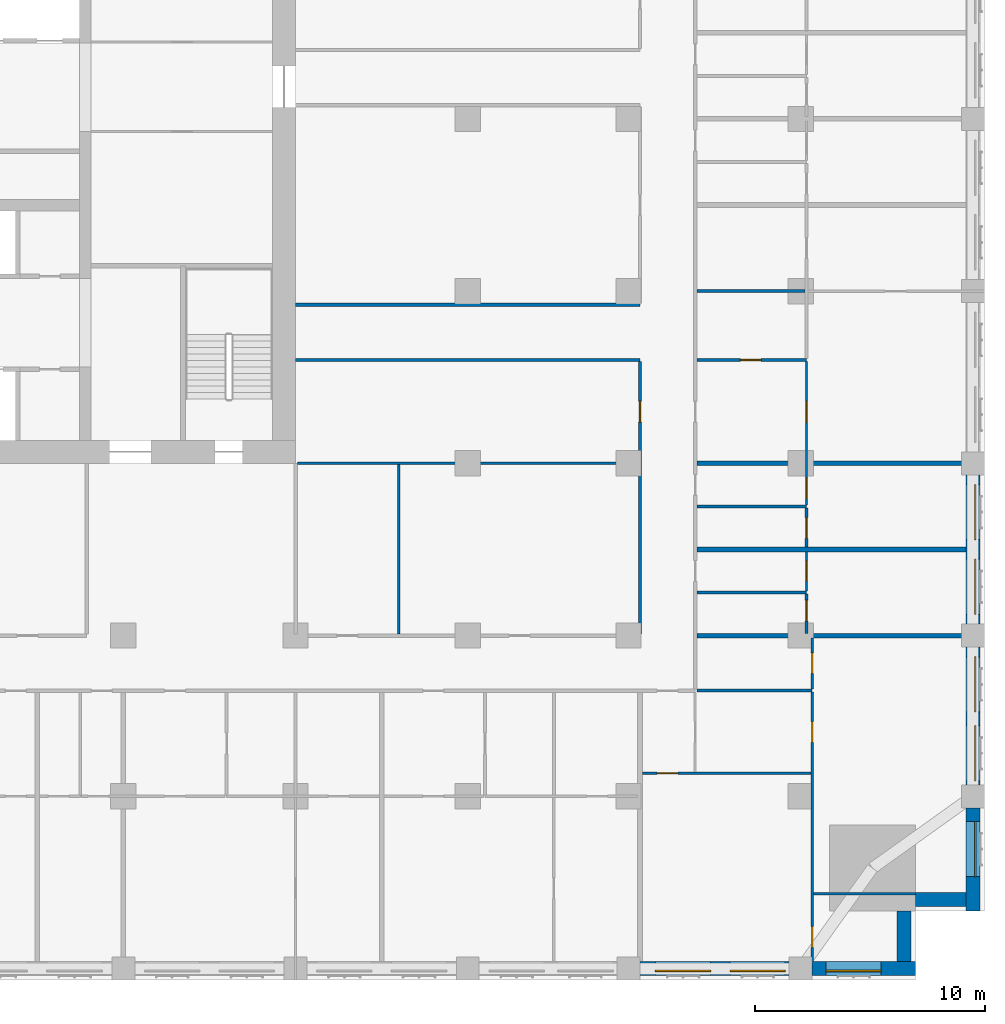
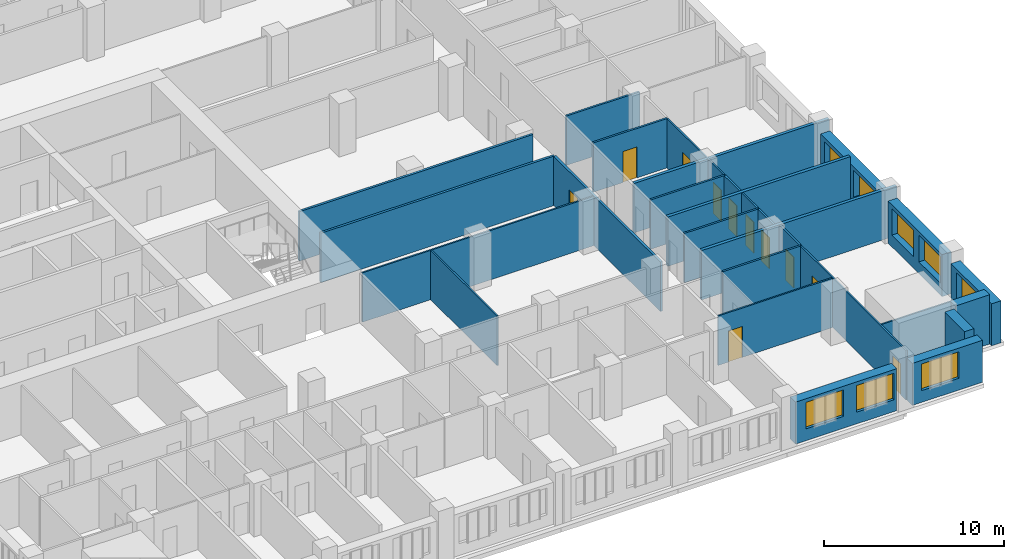
# One storey, part 7 of 15: 28 walls, 11 doors, 8 windows, 19 openings.
"""IFC4 building model written with IfcOpenShell, lengths in metres."""

import ifcopenshell
import ifcopenshell.guid

model = None  # the IFC model being written
_history = None  # IfcOwnerHistory: only IFC2X3 demands one
_inside = {}  # id of a spatial element -> (the spatial element, [elements in it])
_under = {}  # id of a project, library or spatial element -> (it, [spatial elements below it])
_declared = {}  # id of a project -> (the project, [libraries it declares])
_typed = {}  # id of a type object -> (the type object, [elements of that type])
_made_of = {}  # id of a material, layer set ... -> (it, [elements and type objects made of it])


def new_model(schema):
    """Start an empty IFC model of exactly this schema.

    Asked for "IFC4X3", IfcOpenShell would pick the latest addendum, in which some entities
    have other attributes; the version numbers below select the first issue.
    IFC2X3 requires an IfcOwnerHistory on every rooted entity: one is made here for all.
    """
    global model, _history
    if schema == "IFC4X3":
        model = ifcopenshell.file(schema_version=(4, 3, 0, 0))
    else:
        model = ifcopenshell.file(schema=schema)
    _inside.clear()
    _under.clear()
    _declared.clear()
    _typed.clear()
    _made_of.clear()
    _history = None
    if model.schema == "IFC2X3":
        org = make("IfcOrganization", Name="unknown")
        user = make(
            "IfcPersonAndOrganization",
            ThePerson=make("IfcPerson", FamilyName="unknown"),
            TheOrganization=org,
        )
        app = make(
            "IfcApplication",
            ApplicationDeveloper=org,
            Version="unknown",
            ApplicationFullName="unknown",
            ApplicationIdentifier="unknown",
        )
        _history = make(
            "IfcOwnerHistory",
            OwningUser=user,
            OwningApplication=app,
            ChangeAction="ADDED",
            CreationDate=0,
        )
    return model


def make(cls, **values):
    """One entity of the class cls with the attributes given. An attribute that is None is left unset."""
    return model.create_entity(
        cls, **{name: value for name, value in values.items() if value is not None}
    )


def rooted(cls, **values):
    """An entity with a GlobalId (a new one), such as an element, a storey or a relation."""
    return make(cls, GlobalId=ifcopenshell.guid.new(), OwnerHistory=_history, **values)


def si_unit(unit_type, name, prefix=None):
    """IfcSIUnit, for example si_unit("LENGTHUNIT", "METRE", prefix="MILLI")."""
    return make("IfcSIUnit", UnitType=unit_type, Prefix=prefix, Name=name)


def assignment(units):
    """IfcUnitAssignment: the units of a project."""
    return None if units is None else make("IfcUnitAssignment", Units=units)


def point(xyz):
    """IfcCartesianPoint."""
    return None if xyz is None else make("IfcCartesianPoint", Coordinates=xyz)


def direction(xyz):
    """IfcDirection."""
    return None if xyz is None else make("IfcDirection", DirectionRatios=xyz)


def frame(location, z_axis=None, x_axis=None):
    """IfcAxis2Placement3D, a coordinate frame: its origin and axes. An axis left out is left unset."""
    return make(
        "IfcAxis2Placement3D",
        Location=point(location),
        Axis=direction(z_axis),
        RefDirection=direction(x_axis),
    )


def frame_2d(location, x_axis=None):
    """IfcAxis2Placement2D, a coordinate frame in the plane: its origin and x axis."""
    return make(
        "IfcAxis2Placement2D", Location=point(location), RefDirection=direction(x_axis)
    )


def origin():
    """The frame at (0, 0, 0) with its axes left unset."""
    return frame((0.0, 0.0, 0.0))


def place(relative_to, where):
    """IfcLocalPlacement: puts the frame where relative to a parent placement (None: the world)."""
    return make(
        "IfcLocalPlacement", PlacementRelTo=relative_to, RelativePlacement=where
    )


def context(
    kind, dimensions, precision=None, world=None, true_north=None, identifier=None
):
    """IfcGeometricRepresentationContext, for example the 3D "Model" context."""
    return make(
        "IfcGeometricRepresentationContext",
        ContextIdentifier=identifier,
        ContextType=kind,
        CoordinateSpaceDimension=dimensions,
        Precision=precision,
        WorldCoordinateSystem=world,
        TrueNorth=true_north,
    )


def subcontext(parent, identifier, kind, view, scale=None):
    """IfcGeometricRepresentationSubContext, for example "Body" below "Model"."""
    return make(
        "IfcGeometricRepresentationSubContext",
        ContextIdentifier=identifier,
        ContextType=kind,
        ParentContext=parent,
        TargetScale=scale,
        TargetView=view,
    )


def project(units=None, contexts=None):
    """IfcProject with its units and contexts."""
    return rooted(
        "IfcProject",
        Name="project",
        RepresentationContexts=contexts,
        UnitsInContext=assignment(units),
    )


def spatial(cls, under=None, at=None, **own):
    """A site, building, storey or space (cls), placed at a placement, below another one or the project."""
    s = rooted(cls, ObjectPlacement=at, **own)
    if under is not None:
        _under.setdefault(under.id(), (under, []))[1].append(s)
    return s


def profile(cls, at=None, kind="AREA", **sizes):
    """A parametric profile (cls). Its sizes go by their IFC names, for example OverallWidth=200.0."""
    return make(cls, ProfileType=kind, Position=at, **sizes)


def rectangle(**sizes):
    """IfcRectangleProfileDef."""
    return profile("IfcRectangleProfileDef", **sizes)


def extrude(swept, where, along, depth):
    """IfcExtrudedAreaSolid: the profile swept, set in the frame where, extruded along a direction by depth."""
    return make(
        "IfcExtrudedAreaSolid",
        SweptArea=swept,
        Position=where,
        ExtrudedDirection=direction(along),
        Depth=depth,
    )


def shape(context_of_items, identifier, shape_type, items):
    """IfcShapeRepresentation: the items that make up one representation, for example the "Body"."""
    return make(
        "IfcShapeRepresentation",
        ContextOfItems=context_of_items,
        RepresentationIdentifier=identifier,
        RepresentationType=shape_type,
        Items=items,
    )


def material(Name=None, Category=None):
    """IfcMaterial."""
    return make("IfcMaterial", Name=Name, Category=Category)


def layer(
    of_material, thickness, ventilated=None, Name=None, Category=None, Priority=None
):
    """IfcMaterialLayer: one layer of a wall or slab, of a material (None: an air gap)."""
    return make(
        "IfcMaterialLayer",
        Material=of_material,
        LayerThickness=thickness,
        IsVentilated=ventilated,
        Name=Name,
        Category=Category,
        Priority=Priority,
    )


def layer_set(layers, Name=None):
    """IfcMaterialLayerSet."""
    return make("IfcMaterialLayerSet", MaterialLayers=layers, LayerSetName=Name)


def made_of(thing, what):
    """Note that an element or type object is made of a material, layer set ...; save() writes the relation."""
    if what is not None:
        _made_of.setdefault(what.id(), (what, []))[1].append(thing)
    return thing


def type_object(cls, material=None, **own):
    """A type object (cls), such as IfcWallType, which elements share."""
    return made_of(rooted(cls, **own), material)


def element(
    cls,
    number,
    at=None,
    inside=None,
    cuts=None,
    type_object=None,
    material=None,
    context=None,
    identifier="Body",
    shape_type=None,
    held_by="IfcProductDefinitionShape",
    body=None,
    shapes=None,
    **own,
):
    """One element of the class cls, such as IfcWall. Its Tag is "e" and its number.

    at: its placement. inside: the storey or other place that contains it. cuts: it is an
    opening in that element (IfcRelVoidsElement). A single representation is given by context,
    identifier, shape_type and body (its items); several are given by shapes. held_by: the class
    of the entity that holds the representations. save() writes the other relations.
    """
    e = rooted(cls, Tag="e%d" % number, ObjectPlacement=at, **own)
    if body is not None:
        shapes = [shape(context, identifier, shape_type, body)]
    if shapes is not None:
        e.Representation = make(held_by, Representations=shapes)
    if inside is not None:
        _inside.setdefault(inside.id(), (inside, []))[1].append(e)
    if cuts is not None:
        rooted(
            "IfcRelVoidsElement", RelatingBuildingElement=cuts, RelatedOpeningElement=e
        )
    if type_object is not None:
        _typed.setdefault(type_object.id(), (type_object, []))[1].append(e)
    return made_of(e, material)


def fill(opening, filler):
    """IfcRelFillsElement: the door or window that sits in an opening."""
    return rooted(
        "IfcRelFillsElement",
        RelatingOpeningElement=opening,
        RelatedBuildingElement=filler,
    )


def aggregate(whole, parts):
    """IfcRelAggregates: a whole, such as a stair, and the parts it consists of."""
    return rooted("IfcRelAggregates", RelatingObject=whole, RelatedObjects=parts)


def save(model, path):
    """Write the relations noted so far, then the file.

    IfcRelAggregates (storeys below a building ...), IfcRelContainedInSpatialStructure (elements
    in a storey), IfcRelDefinesByType, IfcRelAssociatesMaterial and IfcRelDeclares: one each for
    every whole, place, type object, material and project.
    """
    for whole, parts in _under.values():
        aggregate(whole, parts)
    for where, things in _inside.values():
        rooted(
            "IfcRelContainedInSpatialStructure",
            RelatedElements=things,
            RelatingStructure=where,
        )
    for kind, things in _typed.values():
        rooted("IfcRelDefinesByType", RelatedObjects=things, RelatingType=kind)
    for what, things in _made_of.values():
        rooted("IfcRelAssociatesMaterial", RelatedObjects=things, RelatingMaterial=what)
    for by, libraries in _declared.values():
        rooted("IfcRelDeclares", RelatingContext=by, RelatedDefinitions=libraries)
    model.write(path)


model = new_model("IFC4")

# Units and contexts
model_context = context("Model", 3, precision=1e-05, world=origin(), true_north=direction((0.0, 1.0)))
body_context = subcontext(model_context, "Body", "Model", "MODEL_VIEW")
ifc_project = project(units=[si_unit("LENGTHUNIT", "METRE"), si_unit("AREAUNIT", "SQUARE_METRE"), si_unit("VOLUMEUNIT", "CUBIC_METRE"), si_unit("PLANEANGLEUNIT", "RADIAN"), si_unit("MASSUNIT", "GRAM", prefix="KILO")], contexts=[model_context])

# Site, building, storey
site_placement = place(None, origin())
site = spatial("IfcSite", under=ifc_project, at=site_placement, CompositionType="ELEMENT")
building_placement = place(site_placement, origin())
building = spatial("IfcBuilding", under=site, at=building_placement, Name="Tamorin Gate", CompositionType="ELEMENT")
storey_placement = place(building_placement, frame((0.0, 0.0, 97.10009765625)))
storey = spatial("IfcBuildingStorey", under=building, at=storey_placement, Name="L23", CompositionType="ELEMENT", Elevation=97.10009765625)

# Wall, openings, windows
ifc_material_1 = material(Name="Precast concrete C40/50", Category="concrete")
ifc_layer_1 = layer(ifc_material_1, 0.60009765625)
ifc_layer_set_1 = layer_set([ifc_layer_1], Name="Precast concrete C40/50")
wall_type_1 = type_object("IfcWallType", Name="Board-marked concrete facade panel 600", PredefinedType="SOLIDWALL", material=ifc_layer_set_1)
wall_1_placement = place(storey_placement, frame((75.0, 38.0, 0.0), z_axis=(0.0, 0.0, 1.0), x_axis=(1.0, 0.0, 0.0)))
wall_1 = element("IfcWall", 1, at=wall_1_placement, inside=storey, type_object=wall_type_1, Name="Facade panel", PredefinedType="SOLIDWALL", context=body_context, shape_type="SweptSolid", body=[
    extrude(rectangle(XDim=6.5, YDim=0.60009765625, at=frame_2d((3.25, 0.0))), origin(), (0.0, 0.0, 1.0), 2.849853515625),
])
opening_1_placement = place(wall_1_placement, frame((0.675048828125, 0.0, 0.800048828125)))
opening_1 = element("IfcOpeningElement", 2, at=opening_1_placement, cuts=wall_1, Name="Opening WN1", PredefinedType="OPENING", context=body_context, shape_type="SweptSolid", body=[
    extrude(rectangle(XDim=2.39990234375, YDim=1.800048828125, at=frame_2d((1.199951171875, 0.89990234375))), frame((0.0, 0.31005859375, 0.0), z_axis=(0.0, -1.0, 0.0), x_axis=(1.0, 0.0, 0.0)), (0.0, 0.0, 1.0), 0.6201171875),
])
opening_2_placement = place(wall_1_placement, frame((3.925048828125, 0.0, 0.800048828125)))
opening_2 = element("IfcOpeningElement", 3, at=opening_2_placement, cuts=wall_1, Name="Opening WN1", PredefinedType="OPENING", context=body_context, shape_type="SweptSolid", body=[
    extrude(rectangle(XDim=2.39990234375, YDim=1.800048828125, at=frame_2d((1.199951171875, 0.89990234375))), frame((0.0, 0.31005859375, 0.0), z_axis=(0.0, -1.0, 0.0), x_axis=(1.0, 0.0, 0.0)), (0.0, 0.0, 1.0), 0.6201171875),
])
ifc_material_2 = material(Name="Clear glass in aluminium frame", Category="aluminium")
window_type = type_object("IfcWindowType", Name="Deep-set window 2400x1800", PartitioningType="SINGLE_PANEL", PredefinedType="WINDOW", material=ifc_material_2)
window_1_placement = place(opening_1_placement, origin())
window_1 = element("IfcWindow", 4, at=window_1_placement, inside=storey, type_object=window_type, Name="Deep-set window", OverallHeight=1.800048828125, OverallWidth=2.39990234375, PartitioningType="SINGLE_PANEL", PredefinedType="WINDOW", context=body_context, shape_type="SweptSolid", body=[
    extrude(rectangle(XDim=2.39990234375, YDim=1.800048828125, at=frame_2d((1.199951171875, 0.89990234375))), frame((0.0, -0.070068359375, 0.0), z_axis=(0.0, -1.0, 0.0), x_axis=(1.0, 0.0, 0.0)), (0.0, 0.0, 1.0), 0.06005859375),
])
fill(opening_1, window_1)
window_2_placement = place(opening_2_placement, origin())
window_2 = element("IfcWindow", 5, at=window_2_placement, inside=storey, type_object=window_type, Name="Deep-set window", OverallHeight=1.800048828125, OverallWidth=2.39990234375, PartitioningType="SINGLE_PANEL", PredefinedType="WINDOW", context=body_context, shape_type="SweptSolid", body=[
    extrude(rectangle(XDim=2.39990234375, YDim=1.800048828125, at=frame_2d((1.199951171875, 0.89990234375))), frame((0.0, -0.070068359375, 0.0), z_axis=(0.0, -1.0, 0.0), x_axis=(1.0, 0.0, 0.0)), (0.0, 0.0, 1.0), 0.06005859375),
])
fill(opening_2, window_2)

# Wall, opening, window
wall_2_placement = place(storey_placement, frame((82.5, 38.0, 0.0), z_axis=(0.0, 0.0, 1.0), x_axis=(1.0, 0.0, 0.0)))
wall_2 = element("IfcWall", 6, at=wall_2_placement, inside=storey, type_object=wall_type_1, Name="Facade panel", PredefinedType="SOLIDWALL", context=body_context, shape_type="SweptSolid", body=[
    extrude(rectangle(XDim=4.5, YDim=0.60009765625, at=frame_2d((2.25, 0.0))), origin(), (0.0, 0.0, 1.0), 2.849853515625),
])
opening_3_placement = place(wall_2_placement, frame((0.60009765625, 0.0, 0.800048828125)))
opening_3 = element("IfcOpeningElement", 7, at=opening_3_placement, cuts=wall_2, Name="Opening WN1", PredefinedType="OPENING", context=body_context, shape_type="SweptSolid", body=[
    extrude(rectangle(XDim=2.39990234375, YDim=1.800048828125, at=frame_2d((1.199951171875, 0.89990234375))), frame((0.0, 0.31005859375, 0.0), z_axis=(0.0, -1.0, 0.0), x_axis=(1.0, 0.0, 0.0)), (0.0, 0.0, 1.0), 0.6201171875),
])
window_3_placement = place(opening_3_placement, origin())
window_3 = element("IfcWindow", 8, at=window_3_placement, inside=storey, type_object=window_type, Name="Deep-set window", OverallHeight=1.800048828125, OverallWidth=2.39990234375, PartitioningType="SINGLE_PANEL", PredefinedType="WINDOW", context=body_context, shape_type="SweptSolid", body=[
    extrude(rectangle(XDim=2.39990234375, YDim=1.800048828125, at=frame_2d((1.199951171875, 0.89990234375))), frame((0.0, -0.070068359375, 0.0), z_axis=(0.0, -1.0, 0.0), x_axis=(1.0, 0.0, 0.0)), (0.0, 0.0, 1.0), 0.06005859375),
])
fill(opening_3, window_3)

# Walls
for number, where, z_axis, x_axis, name in (
    (9, (86.5, 38.300048828125, 0.0), (0.0, 0.0, 1.0), (0.0, 1.0, 0.0), "Facade panel"),
    (10, (87.0, 41.0, 0.0), (0.0, 0.0, 1.0), (1.0, 0.0, 0.0), "Facade panel"),
):
    element("IfcWall", number, at=place(storey_placement, frame(where, z_axis=z_axis, x_axis=x_axis)), inside=storey, type_object=wall_type_1, Name=name, PredefinedType="SOLIDWALL", context=body_context, shape_type="SweptSolid", body=[
        extrude(rectangle(XDim=2.199951171875, YDim=0.60009765625, at=frame_2d((1.10009765625, 0.0))), origin(), (0.0, 0.0, 1.0), 3.349853515625),
    ])

# Wall, opening, window
wall_3_placement = place(storey_placement, frame((89.5, 40.5, 0.0), z_axis=(0.0, 0.0, 1.0), x_axis=(0.0, 1.0, 0.0)))
wall_3 = element("IfcWall", 11, at=wall_3_placement, inside=storey, type_object=wall_type_1, Name="Facade panel", PredefinedType="SOLIDWALL", context=body_context, shape_type="SweptSolid", body=[
    extrude(rectangle(XDim=4.5, YDim=0.60009765625, at=frame_2d((2.25, 0.0))), origin(), (0.0, 0.0, 1.0), 2.849853515625),
])
opening_4_placement = place(wall_3_placement, frame((1.5, 0.0, 0.800048828125)))
opening_4 = element("IfcOpeningElement", 12, at=opening_4_placement, cuts=wall_3, Name="Opening WN1", PredefinedType="OPENING", context=body_context, shape_type="SweptSolid", body=[
    extrude(rectangle(XDim=2.39990234375, YDim=1.800048828125, at=frame_2d((1.199951171875, 0.89990234375))), frame((0.0, 0.31005859375, 0.0), z_axis=(0.0, -1.0, 0.0), x_axis=(1.0, 0.0, 0.0)), (0.0, 0.0, 1.0), 0.6201171875),
])
window_4_placement = place(opening_4_placement, origin())
window_4 = element("IfcWindow", 13, at=window_4_placement, inside=storey, type_object=window_type, Name="Deep-set window", OverallHeight=1.800048828125, OverallWidth=2.39990234375, PartitioningType="SINGLE_PANEL", PredefinedType="WINDOW", context=body_context, shape_type="SweptSolid", body=[
    extrude(rectangle(XDim=2.39990234375, YDim=1.800048828125, at=frame_2d((1.199951171875, 0.89990234375))), frame((0.0, -0.070068359375, 0.0), z_axis=(0.0, -1.0, 0.0), x_axis=(1.0, 0.0, 0.0)), (0.0, 0.0, 1.0), 0.06005859375),
])
fill(opening_4, window_4)

# Wall, openings, windows
wall_4_placement = place(storey_placement, frame((89.5, 46.0, 0.0), z_axis=(0.0, 0.0, 1.0), x_axis=(0.0, 1.0, 0.0)))
wall_4 = element("IfcWall", 14, at=wall_4_placement, inside=storey, type_object=wall_type_1, Name="Facade panel", PredefinedType="SOLIDWALL", context=body_context, shape_type="SweptSolid", body=[
    extrude(rectangle(XDim=6.0, YDim=0.60009765625, at=frame_2d((3.0, 0.0))), origin(), (0.0, 0.0, 1.0), 2.849853515625),
])
opening_5_placement = place(wall_4_placement, frame((0.175048828125, 0.0, 0.800048828125)))
opening_5 = element("IfcOpeningElement", 15, at=opening_5_placement, cuts=wall_4, Name="Opening WN1", PredefinedType="OPENING", context=body_context, shape_type="SweptSolid", body=[
    extrude(rectangle(XDim=2.39990234375, YDim=1.800048828125, at=frame_2d((1.199951171875, 0.89990234375))), frame((0.0, 0.31005859375, 0.0), z_axis=(0.0, -1.0, 0.0), x_axis=(1.0, 0.0, 0.0)), (0.0, 0.0, 1.0), 0.6201171875),
])
opening_6_placement = place(wall_4_placement, frame((3.175048828125, 0.0, 0.800048828125)))
opening_6 = element("IfcOpeningElement", 16, at=opening_6_placement, cuts=wall_4, Name="Opening WN1", PredefinedType="OPENING", context=body_context, shape_type="SweptSolid", body=[
    extrude(rectangle(XDim=2.39990234375, YDim=1.800048828125, at=frame_2d((1.199951171875, 0.89990234375))), frame((0.0, 0.31005859375, 0.0), z_axis=(0.0, -1.0, 0.0), x_axis=(1.0, 0.0, 0.0)), (0.0, 0.0, 1.0), 0.6201171875),
])
window_5_placement = place(opening_5_placement, origin())
window_5 = element("IfcWindow", 17, at=window_5_placement, inside=storey, type_object=window_type, Name="Deep-set window", OverallHeight=1.800048828125, OverallWidth=2.39990234375, PartitioningType="SINGLE_PANEL", PredefinedType="WINDOW", context=body_context, shape_type="SweptSolid", body=[
    extrude(rectangle(XDim=2.39990234375, YDim=1.800048828125, at=frame_2d((1.199951171875, 0.89990234375))), frame((0.0, -0.070068359375, 0.0), z_axis=(0.0, -1.0, 0.0), x_axis=(1.0, 0.0, 0.0)), (0.0, 0.0, 1.0), 0.06005859375),
])
fill(opening_5, window_5)
window_6_placement = place(opening_6_placement, origin())
window_6 = element("IfcWindow", 18, at=window_6_placement, inside=storey, type_object=window_type, Name="Deep-set window", OverallHeight=1.800048828125, OverallWidth=2.39990234375, PartitioningType="SINGLE_PANEL", PredefinedType="WINDOW", context=body_context, shape_type="SweptSolid", body=[
    extrude(rectangle(XDim=2.39990234375, YDim=1.800048828125, at=frame_2d((1.199951171875, 0.89990234375))), frame((0.0, -0.070068359375, 0.0), z_axis=(0.0, -1.0, 0.0), x_axis=(1.0, 0.0, 0.0)), (0.0, 0.0, 1.0), 0.06005859375),
])
fill(opening_6, window_6)

wall_5_placement = place(storey_placement, frame((89.5, 53.0, 0.0), z_axis=(0.0, 0.0, 1.0), x_axis=(0.0, 1.0, 0.0)))
wall_5 = element("IfcWall", 19, at=wall_5_placement, inside=storey, type_object=wall_type_1, Name="Facade panel", PredefinedType="SOLIDWALL", context=body_context, shape_type="SweptSolid", body=[
    extrude(rectangle(XDim=6.5, YDim=0.60009765625, at=frame_2d((3.25, 0.0))), origin(), (0.0, 0.0, 1.0), 2.849853515625),
])
opening_7_placement = place(wall_5_placement, frame((0.425048828125, 0.0, 0.800048828125)))
opening_7 = element("IfcOpeningElement", 20, at=opening_7_placement, cuts=wall_5, Name="Opening WN1", PredefinedType="OPENING", context=body_context, shape_type="SweptSolid", body=[
    extrude(rectangle(XDim=2.39990234375, YDim=1.800048828125, at=frame_2d((1.199951171875, 0.89990234375))), frame((0.0, 0.31005859375, 0.0), z_axis=(0.0, -1.0, 0.0), x_axis=(1.0, 0.0, 0.0)), (0.0, 0.0, 1.0), 0.6201171875),
])
opening_8_placement = place(wall_5_placement, frame((3.675048828125, 0.0, 0.800048828125)))
opening_8 = element("IfcOpeningElement", 21, at=opening_8_placement, cuts=wall_5, Name="Opening WN1", PredefinedType="OPENING", context=body_context, shape_type="SweptSolid", body=[
    extrude(rectangle(XDim=2.39990234375, YDim=1.800048828125, at=frame_2d((1.199951171875, 0.89990234375))), frame((0.0, 0.31005859375, 0.0), z_axis=(0.0, -1.0, 0.0), x_axis=(1.0, 0.0, 0.0)), (0.0, 0.0, 1.0), 0.6201171875),
])
window_7_placement = place(opening_7_placement, origin())
window_7 = element("IfcWindow", 22, at=window_7_placement, inside=storey, type_object=window_type, Name="Deep-set window", OverallHeight=1.800048828125, OverallWidth=2.39990234375, PartitioningType="SINGLE_PANEL", PredefinedType="WINDOW", context=body_context, shape_type="SweptSolid", body=[
    extrude(rectangle(XDim=2.39990234375, YDim=1.800048828125, at=frame_2d((1.199951171875, 0.89990234375))), frame((0.0, -0.070068359375, 0.0), z_axis=(0.0, -1.0, 0.0), x_axis=(1.0, 0.0, 0.0)), (0.0, 0.0, 1.0), 0.06005859375),
])
fill(opening_7, window_7)
window_8_placement = place(opening_8_placement, origin())
window_8 = element("IfcWindow", 23, at=window_8_placement, inside=storey, type_object=window_type, Name="Deep-set window", OverallHeight=1.800048828125, OverallWidth=2.39990234375, PartitioningType="SINGLE_PANEL", PredefinedType="WINDOW", context=body_context, shape_type="SweptSolid", body=[
    extrude(rectangle(XDim=2.39990234375, YDim=1.800048828125, at=frame_2d((1.199951171875, 0.89990234375))), frame((0.0, -0.070068359375, 0.0), z_axis=(0.0, -1.0, 0.0), x_axis=(1.0, 0.0, 0.0)), (0.0, 0.0, 1.0), 0.06005859375),
])
fill(opening_8, window_8)

# Wall, opening, door
ifc_material_3 = material(Name="Gypsum board partition")
ifc_layer_2 = layer(ifc_material_3, 0.14990234375)
ifc_layer_set_2 = layer_set([ifc_layer_2], Name="Corridor wall 150")
wall_type_2 = type_object("IfcWallType", Name="Corridor wall 150", PredefinedType="PARTITIONING", material=ifc_layer_set_2)
wall_6_placement = place(storey_placement, frame((75.0, 52.574951171875, 0.0), z_axis=(0.0, 0.0, 1.0), x_axis=(0.0, 1.0, 0.0)))
wall_6 = element("IfcWall", 24, at=wall_6_placement, inside=storey, type_object=wall_type_2, Name="Corridor wall 150", PredefinedType="PARTITIONING", context=body_context, shape_type="SweptSolid", body=[
    extrude(rectangle(XDim=11.85009765625, YDim=0.14990234375, at=frame_2d((5.925048828125, 0.0))), origin(), (0.0, 0.0, 1.0), 3.349853515625),
])
opening_9_placement = place(wall_6_placement, frame((9.22509765625, 0.0, 0.0)))
opening_9 = element("IfcOpeningElement", 25, at=opening_9_placement, cuts=wall_6, Name="Opening DH6095", PredefinedType="OPENING", context=body_context, shape_type="SweptSolid", body=[
    extrude(rectangle(XDim=0.89990234375, YDim=2.10009765625, at=frame_2d((0.449951171875, 1.050048828125))), frame((0.0, 0.0849609375, 0.0), z_axis=(0.0, -1.0, 0.0), x_axis=(1.0, 0.0, 0.0)), (0.0, 0.0, 1.0), 0.169921875),
])
ifc_material_4 = material(Name="Timber door leaf", Category="wood")
door_type_1 = type_object("IfcDoorType", Name="Door 900 x 2100 FD30S", OperationType="NOTDEFINED", PredefinedType="DOOR", material=ifc_material_4)
door_1_placement = place(opening_9_placement, origin())
door_1 = element("IfcDoor", 26, at=door_1_placement, inside=storey, type_object=door_type_1, Name="Door DH6095", OperationType="SINGLE_SWING_LEFT", OverallHeight=2.10009765625, OverallWidth=0.89990234375, PredefinedType="DOOR", context=body_context, shape_type="SweptSolid", body=[
    extrude(rectangle(XDim=0.89990234375, YDim=2.10009765625, at=frame_2d((0.449951171875, 1.050048828125))), frame((0.0, 0.02490234375, 0.0), z_axis=(0.0, -1.0, 0.0), x_axis=(1.0, 0.0, 0.0)), (0.0, 0.0, 1.0), 0.050048828125),
])
fill(opening_9, door_1)

# Walls
ifc_layer_3 = layer(ifc_material_3, 0.199951171875)
ifc_layer_set_3 = layer_set([ifc_layer_3], Name="Demising wall 200")
wall_type_3 = type_object("IfcWallType", Name="Demising wall 200", PredefinedType="PARTITIONING", material=ifc_layer_set_3)
wall_7_placement = place(storey_placement, frame((77.47509765625, 52.5, 0.0), z_axis=(0.0, 0.0, 1.0), x_axis=(1.0, 0.0, 0.0)))
element("IfcWall", 27, at=wall_7_placement, inside=storey, type_object=wall_type_3, Name="Demising wall 200", PredefinedType="PARTITIONING", context=body_context, shape_type="SweptSolid", body=[
    extrude(rectangle(XDim=12.52490234375, YDim=0.199951171875, at=frame_2d((6.262451171875, 0.0))), origin(), (0.0, 0.0, 1.0), 3.349853515625),
])
wall_8_placement = place(storey_placement, frame((77.47509765625, 56.25, 0.0), z_axis=(0.0, 0.0, 1.0), x_axis=(1.0, 0.0, 0.0)))
element("IfcWall", 28, at=wall_8_placement, inside=storey, type_object=wall_type_3, Name="Demising wall 200", PredefinedType="PARTITIONING", context=body_context, shape_type="SweptSolid", body=[
    extrude(rectangle(XDim=11.71484375, YDim=0.199951171875, at=frame_2d((5.857421875, 0.0))), origin(), (0.0, 0.0, 1.0), 3.349853515625),
])
wall_9_placement = place(storey_placement, frame((77.47509765625, 60.0, 0.0), z_axis=(0.0, 0.0, 1.0), x_axis=(1.0, 0.0, 0.0)))
element("IfcWall", 29, at=wall_9_placement, inside=storey, type_object=wall_type_3, Name="Demising wall 200", PredefinedType="PARTITIONING", context=body_context, shape_type="SweptSolid", body=[
    extrude(rectangle(XDim=12.52490234375, YDim=0.199951171875, at=frame_2d((6.262451171875, 0.0))), origin(), (0.0, 0.0, 1.0), 3.349853515625),
])
ifc_layer_4 = layer(ifc_material_3, 0.14990234375)
ifc_layer_set_4 = layer_set([ifc_layer_4], Name="Lobby wall 150")
wall_type_4 = type_object("IfcWallType", Name="Lobby wall 150", PredefinedType="PARTITIONING", material=ifc_layer_set_4)
for number, where, z_axis, x_axis, name in (
    (30, (60.0, 64.5, 0.0), (0.0, 0.0, 1.0), (1.0, 0.0, 0.0), "Lobby wall 150"),
    (31, (60.0, 66.89990234375, 0.0), (0.0, 0.0, 1.0), (1.0, 0.0, 0.0), "Lobby wall 150"),
):
    element("IfcWall", number, at=place(storey_placement, frame(where, z_axis=z_axis, x_axis=x_axis)), inside=storey, type_object=wall_type_4, Name=name, PredefinedType="PARTITIONING", context=body_context, shape_type="SweptSolid", body=[
        extrude(rectangle(XDim=15.0, YDim=0.14990234375, at=frame_2d((7.5, 0.0))), origin(), (0.0, 0.0, 1.0), 3.349853515625),
    ])
ifc_layer_5 = layer(ifc_material_3, 0.10009765625)
ifc_layer_set_5 = layer_set([ifc_layer_5], Name="Room partition 100")
wall_type_5 = type_object("IfcWallType", Name="Room partition 100", PredefinedType="PARTITIONING", material=ifc_layer_set_5)
wall_10_placement = place(storey_placement, frame((82.550048828125, 41.25, 0.0), z_axis=(0.0, 0.0, 1.0), x_axis=(1.0, 0.0, 0.0)))
element("IfcWall", 32, at=wall_10_placement, inside=storey, type_object=wall_type_5, Name="Room partition 100", PredefinedType="PARTITIONING", context=body_context, shape_type="SweptSolid", body=[
    extrude(rectangle(XDim=4.43994140625, YDim=0.10009765625, at=frame_2d((2.219970703125, 0.0))), origin(), (0.0, 0.0, 1.0), 3.349853515625),
])

# Wall, opening, door
wall_11_placement = place(storey_placement, frame((75.10009765625, 46.5, 0.0), z_axis=(0.0, 0.0, 1.0), x_axis=(1.0, 0.0, 0.0)))
wall_11 = element("IfcWall", 33, at=wall_11_placement, inside=storey, type_object=wall_type_5, Name="Room partition 100", PredefinedType="PARTITIONING", context=body_context, shape_type="SweptSolid", body=[
    extrude(rectangle(XDim=7.349853515625, YDim=0.10009765625, at=frame_2d((3.6748046875, 0.0))), origin(), (0.0, 0.0, 1.0), 3.349853515625),
])
opening_10_placement = place(wall_11_placement, frame((0.64990234375, 0.0, 0.0)))
opening_10 = element("IfcOpeningElement", 34, at=opening_10_placement, cuts=wall_11, Name="Opening DH6075", PredefinedType="OPENING", context=body_context, shape_type="SweptSolid", body=[
    extrude(rectangle(XDim=0.89990234375, YDim=2.10009765625, at=frame_2d((0.449951171875, 1.050048828125))), frame((0.0, 0.06005859375, 0.0), z_axis=(0.0, -1.0, 0.0), x_axis=(1.0, 0.0, 0.0)), (0.0, 0.0, 1.0), 0.1201171875),
])
door_type_2 = type_object("IfcDoorType", Name="Door 900 x 2100", OperationType="NOTDEFINED", PredefinedType="DOOR", material=ifc_material_4)
door_2_placement = place(opening_10_placement, origin())
door_2 = element("IfcDoor", 35, at=door_2_placement, inside=storey, type_object=door_type_2, Name="Door DH6075", OperationType="SINGLE_SWING_RIGHT", OverallHeight=2.10009765625, OverallWidth=0.89990234375, PredefinedType="DOOR", context=body_context, shape_type="SweptSolid", body=[
    extrude(rectangle(XDim=0.89990234375, YDim=2.10009765625, at=frame_2d((0.449951171875, 1.050048828125))), frame((0.0, 0.02490234375, 0.0), z_axis=(0.0, -1.0, 0.0), x_axis=(1.0, 0.0, 0.0)), (0.0, 0.0, 1.0), 0.050048828125),
])
fill(opening_10, door_2)

# Walls
wall_12_placement = place(storey_placement, frame((60.074951171875, 60.0, 0.0), z_axis=(0.0, 0.0, 1.0), x_axis=(1.0, 0.0, 0.0)))
element("IfcWall", 36, at=wall_12_placement, inside=storey, type_object=wall_type_5, Name="Room partition 100", PredefinedType="PARTITIONING", context=body_context, shape_type="SweptSolid", body=[
    extrude(rectangle(XDim=14.85009765625, YDim=0.10009765625, at=frame_2d((7.425048828125, 0.0))), origin(), (0.0, 0.0, 1.0), 3.349853515625),
])
wall_13_placement = place(storey_placement, frame((64.5, 52.574951171875, 0.0), z_axis=(0.0, 0.0, 1.0), x_axis=(0.0, 1.0, 0.0)))
element("IfcWall", 37, at=wall_13_placement, inside=storey, type_object=wall_type_5, Name="Room partition 100", PredefinedType="PARTITIONING", context=body_context, shape_type="SweptSolid", body=[
    extrude(rectangle(XDim=7.375, YDim=0.10009765625, at=frame_2d((3.6875, 0.0))), origin(), (0.0, 0.0, 1.0), 3.349853515625),
])

# Wall, opening, door
wall_14_placement = place(storey_placement, frame((82.25, 54.4375, 0.0), z_axis=(0.0, 0.0, 1.0), x_axis=(0.0, 1.0, 0.0)))
wall_14 = element("IfcWall", 38, at=wall_14_placement, inside=storey, type_object=wall_type_5, Name="Room partition 100", PredefinedType="PARTITIONING", context=body_context, shape_type="SweptSolid", body=[
    extrude(rectangle(XDim=1.71240234375, YDim=0.10009765625, at=frame_2d((0.856201171875, 0.0))), origin(), (0.0, 0.0, 1.0), 3.349853515625),
])
opening_11_placement = place(wall_14_placement, frame((0.425048828125, 0.0, 0.0)))
opening_11 = element("IfcOpeningElement", 39, at=opening_11_placement, cuts=wall_14, Name="Opening DH6053", PredefinedType="OPENING", context=body_context, shape_type="SweptSolid", body=[
    extrude(rectangle(XDim=0.89990234375, YDim=2.10009765625, at=frame_2d((0.449951171875, 1.050048828125))), frame((0.0, 0.06005859375, 0.0), z_axis=(0.0, -1.0, 0.0), x_axis=(1.0, 0.0, 0.0)), (0.0, 0.0, 1.0), 0.1201171875),
])
door_3_placement = place(opening_11_placement, origin())
door_3 = element("IfcDoor", 40, at=door_3_placement, inside=storey, type_object=door_type_2, Name="Door DH6053", OperationType="SINGLE_SWING_LEFT", OverallHeight=2.10009765625, OverallWidth=0.89990234375, PredefinedType="DOOR", context=body_context, shape_type="SweptSolid", body=[
    extrude(rectangle(XDim=0.89990234375, YDim=2.10009765625, at=frame_2d((0.449951171875, 1.050048828125))), frame((0.0, 0.02490234375, 0.0), z_axis=(0.0, -1.0, 0.0), x_axis=(1.0, 0.0, 0.0)), (0.0, 0.0, 1.0), 0.050048828125),
])
fill(opening_11, door_3)

# Wall, openings, doors
wall_15_placement = place(storey_placement, frame((82.25, 58.1875, 0.0), z_axis=(0.0, 0.0, 1.0), x_axis=(0.0, 1.0, 0.0)))
wall_15 = element("IfcWall", 41, at=wall_15_placement, inside=storey, type_object=wall_type_5, Name="Room partition 100", PredefinedType="PARTITIONING", context=body_context, shape_type="SweptSolid", body=[
    extrude(rectangle(XDim=6.25, YDim=0.10009765625, at=frame_2d((3.125, 0.0))), origin(), (0.0, 0.0, 1.0), 3.349853515625),
])
opening_12_placement = place(wall_15_placement, frame((0.27490234375, 0.0, 0.0)))
opening_12 = element("IfcOpeningElement", 42, at=opening_12_placement, cuts=wall_15, Name="Opening DH6056", PredefinedType="OPENING", context=body_context, shape_type="SweptSolid", body=[
    extrude(rectangle(XDim=0.89990234375, YDim=2.10009765625, at=frame_2d((0.449951171875, 1.050048828125))), frame((0.0, 0.06005859375, 0.0), z_axis=(0.0, -1.0, 0.0), x_axis=(1.0, 0.0, 0.0)), (0.0, 0.0, 1.0), 0.1201171875),
])
opening_13_placement = place(wall_15_placement, frame((3.612548828125, 0.0, 0.0)))
opening_13 = element("IfcOpeningElement", 43, at=opening_13_placement, cuts=wall_15, Name="Opening DH6058", PredefinedType="OPENING", context=body_context, shape_type="SweptSolid", body=[
    extrude(rectangle(XDim=0.89990234375, YDim=2.10009765625, at=frame_2d((0.449951171875, 1.050048828125))), frame((0.0, 0.06005859375, 0.0), z_axis=(0.0, -1.0, 0.0), x_axis=(1.0, 0.0, 0.0)), (0.0, 0.0, 1.0), 0.1201171875),
])
door_4_placement = place(opening_12_placement, origin())
door_4 = element("IfcDoor", 44, at=door_4_placement, inside=storey, type_object=door_type_2, Name="Door DH6056", OperationType="SINGLE_SWING_LEFT", OverallHeight=2.10009765625, OverallWidth=0.89990234375, PredefinedType="DOOR", context=body_context, shape_type="SweptSolid", body=[
    extrude(rectangle(XDim=0.89990234375, YDim=2.10009765625, at=frame_2d((0.449951171875, 1.050048828125))), frame((0.0, 0.02490234375, 0.0), z_axis=(0.0, -1.0, 0.0), x_axis=(1.0, 0.0, 0.0)), (0.0, 0.0, 1.0), 0.050048828125),
])
fill(opening_12, door_4)
door_5_placement = place(opening_13_placement, origin())
door_5 = element("IfcDoor", 45, at=door_5_placement, inside=storey, type_object=door_type_2, Name="Door DH6058", OperationType="SINGLE_SWING_LEFT", OverallHeight=2.10009765625, OverallWidth=0.89990234375, PredefinedType="DOOR", context=body_context, shape_type="SweptSolid", body=[
    extrude(rectangle(XDim=0.89990234375, YDim=2.10009765625, at=frame_2d((0.449951171875, 1.050048828125))), frame((0.0, 0.02490234375, 0.0), z_axis=(0.0, -1.0, 0.0), x_axis=(1.0, 0.0, 0.0)), (0.0, 0.0, 1.0), 0.050048828125),
])
fill(opening_13, door_5)

wall_16_placement = place(storey_placement, frame((82.5, 38.31005859375, 0.0), z_axis=(0.0, 0.0, 1.0), x_axis=(0.0, 1.0, 0.0)))
wall_16 = element("IfcWall", 46, at=wall_16_placement, inside=storey, type_object=wall_type_5, Name="Room partition 100", PredefinedType="PARTITIONING", context=body_context, shape_type="SweptSolid", body=[
    extrude(rectangle(XDim=11.7275390625, YDim=0.10009765625, at=frame_2d((5.86376953125, 0.0))), origin(), (0.0, 0.0, 1.0), 3.349853515625),
])
opening_14_placement = place(wall_16_placement, frame((0.614990234375, 0.0, 0.0)))
opening_14 = element("IfcOpeningElement", 47, at=opening_14_placement, cuts=wall_16, Name="Opening DH6077", PredefinedType="OPENING", context=body_context, shape_type="SweptSolid", body=[
    extrude(rectangle(XDim=0.89990234375, YDim=2.10009765625, at=frame_2d((0.449951171875, 1.050048828125))), frame((0.0, 0.06005859375, 0.0), z_axis=(0.0, -1.0, 0.0), x_axis=(1.0, 0.0, 0.0)), (0.0, 0.0, 1.0), 0.1201171875),
])
opening_15_placement = place(wall_16_placement, frame((9.5400390625, 0.0, 0.0)))
opening_15 = element("IfcOpeningElement", 48, at=opening_15_placement, cuts=wall_16, Name="Opening DH6078", PredefinedType="OPENING", context=body_context, shape_type="SweptSolid", body=[
    extrude(rectangle(XDim=0.89990234375, YDim=2.10009765625, at=frame_2d((0.449951171875, 1.050048828125))), frame((0.0, 0.06005859375, 0.0), z_axis=(0.0, -1.0, 0.0), x_axis=(1.0, 0.0, 0.0)), (0.0, 0.0, 1.0), 0.1201171875),
])
door_6_placement = place(opening_14_placement, origin())
door_6 = element("IfcDoor", 49, at=door_6_placement, inside=storey, type_object=door_type_2, Name="Door DH6077", OperationType="SINGLE_SWING_LEFT", OverallHeight=2.10009765625, OverallWidth=0.89990234375, PredefinedType="DOOR", context=body_context, shape_type="SweptSolid", body=[
    extrude(rectangle(XDim=0.89990234375, YDim=2.10009765625, at=frame_2d((0.449951171875, 1.050048828125))), frame((0.0, 0.02490234375, 0.0), z_axis=(0.0, -1.0, 0.0), x_axis=(1.0, 0.0, 0.0)), (0.0, 0.0, 1.0), 0.050048828125),
])
fill(opening_14, door_6)
door_7_placement = place(opening_15_placement, origin())
door_7 = element("IfcDoor", 50, at=door_7_placement, inside=storey, type_object=door_type_2, Name="Door DH6078", OperationType="SINGLE_SWING_RIGHT", OverallHeight=2.10009765625, OverallWidth=0.89990234375, PredefinedType="DOOR", context=body_context, shape_type="SweptSolid", body=[
    extrude(rectangle(XDim=0.89990234375, YDim=2.10009765625, at=frame_2d((0.449951171875, 1.050048828125))), frame((0.0, 0.02490234375, 0.0), z_axis=(0.0, -1.0, 0.0), x_axis=(1.0, 0.0, 0.0)), (0.0, 0.0, 1.0), 0.050048828125),
])
fill(opening_15, door_7)

# Walls
ifc_layer_6 = layer(ifc_material_3, 0.125)
ifc_layer_set_6 = layer_set([ifc_layer_6], Name="Wet wall 125")
wall_type_6 = type_object("IfcWallType", Name="Wet wall 125", PredefinedType="PARTITIONING", material=ifc_layer_set_6)
wall_17_placement = place(storey_placement, frame((77.47509765625, 50.10009765625, 0.0), z_axis=(0.0, 0.0, 1.0), x_axis=(1.0, 0.0, 0.0)))
element("IfcWall", 51, at=wall_17_placement, inside=storey, type_object=wall_type_6, Name="Wet wall 125", PredefinedType="PARTITIONING", context=body_context, shape_type="SweptSolid", body=[
    extrude(rectangle(XDim=5.02490234375, YDim=0.125, at=frame_2d((2.512451171875, 0.0))), origin(), (0.0, 0.0, 1.0), 3.349853515625),
])
for number, where, z_axis, x_axis, name in (
    (52, (77.47509765625, 54.375, 0.0), (0.0, 0.0, 1.0), (1.0, 0.0, 0.0), "Wet wall 125"),
    (53, (77.47509765625, 58.125, 0.0), (0.0, 0.0, 1.0), (1.0, 0.0, 0.0), "Wet wall 125"),
):
    element("IfcWall", number, at=place(storey_placement, frame(where, z_axis=z_axis, x_axis=x_axis)), inside=storey, type_object=wall_type_6, Name=name, PredefinedType="PARTITIONING", context=body_context, shape_type="SweptSolid", body=[
        extrude(rectangle(XDim=4.77490234375, YDim=0.125, at=frame_2d((2.387451171875, 0.0))), origin(), (0.0, 0.0, 1.0), 3.349853515625),
    ])

# Wall, opening, door
wall_18_placement = place(storey_placement, frame((77.47509765625, 64.5, 0.0), z_axis=(0.0, 0.0, 1.0), x_axis=(1.0, 0.0, 0.0)))
wall_18 = element("IfcWall", 54, at=wall_18_placement, inside=storey, type_object=wall_type_6, Name="Wet wall 125", PredefinedType="PARTITIONING", context=body_context, shape_type="SweptSolid", body=[
    extrude(rectangle(XDim=4.77490234375, YDim=0.125, at=frame_2d((2.387451171875, 0.0))), origin(), (0.0, 0.0, 1.0), 3.349853515625),
])
opening_16_placement = place(wall_18_placement, frame((1.89990234375, 0.0, 0.0)))
opening_16 = element("IfcOpeningElement", 55, at=opening_16_placement, cuts=wall_18, Name="Opening DH6059", PredefinedType="OPENING", context=body_context, shape_type="SweptSolid", body=[
    extrude(rectangle(XDim=0.89990234375, YDim=2.10009765625, at=frame_2d((0.449951171875, 1.050048828125))), frame((0.0, 0.072509765625, 0.0), z_axis=(0.0, -1.0, 0.0), x_axis=(1.0, 0.0, 0.0)), (0.0, 0.0, 1.0), 0.14501953125),
])
door_8_placement = place(opening_16_placement, origin())
door_8 = element("IfcDoor", 56, at=door_8_placement, inside=storey, type_object=door_type_2, Name="Door DH6059", OperationType="SINGLE_SWING_RIGHT", OverallHeight=2.10009765625, OverallWidth=0.89990234375, PredefinedType="DOOR", context=body_context, shape_type="SweptSolid", body=[
    extrude(rectangle(XDim=0.89990234375, YDim=2.10009765625, at=frame_2d((0.449951171875, 1.050048828125))), frame((0.0, 0.02490234375, 0.0), z_axis=(0.0, -1.0, 0.0), x_axis=(1.0, 0.0, 0.0)), (0.0, 0.0, 1.0), 0.050048828125),
])
fill(opening_16, door_8)

# Wall
wall_19_placement = place(storey_placement, frame((77.47509765625, 67.5, 0.0), z_axis=(0.0, 0.0, 1.0), x_axis=(1.0, 0.0, 0.0)))
element("IfcWall", 57, at=wall_19_placement, inside=storey, type_object=wall_type_6, Name="Wet wall 125", PredefinedType="PARTITIONING", context=body_context, shape_type="SweptSolid", body=[
    extrude(rectangle(XDim=4.71240234375, YDim=0.125, at=frame_2d((2.356201171875, 0.0))), origin(), (0.0, 0.0, 1.0), 3.349853515625),
])

# Wall, opening, door
wall_20_placement = place(storey_placement, frame((82.25, 52.60009765625, 0.0), z_axis=(0.0, 0.0, 1.0), x_axis=(0.0, 1.0, 0.0)))
wall_20 = element("IfcWall", 58, at=wall_20_placement, inside=storey, type_object=wall_type_6, Name="Wet wall 125", PredefinedType="PARTITIONING", context=body_context, shape_type="SweptSolid", body=[
    extrude(rectangle(XDim=1.71240234375, YDim=0.125, at=frame_2d((0.856201171875, 0.0))), origin(), (0.0, 0.0, 1.0), 3.349853515625),
])
opening_17_placement = place(wall_20_placement, frame((0.53759765625, 0.0, 0.0)))
opening_17 = element("IfcOpeningElement", 59, at=opening_17_placement, cuts=wall_20, Name="Opening DH6051", PredefinedType="OPENING", context=body_context, shape_type="SweptSolid", body=[
    extrude(rectangle(XDim=0.89990234375, YDim=2.10009765625, at=frame_2d((0.449951171875, 1.050048828125))), frame((0.0, 0.072509765625, 0.0), z_axis=(0.0, -1.0, 0.0), x_axis=(1.0, 0.0, 0.0)), (0.0, 0.0, 1.0), 0.14501953125),
])
door_9_placement = place(opening_17_placement, origin())
door_9 = element("IfcDoor", 60, at=door_9_placement, inside=storey, type_object=door_type_2, Name="Door DH6051", OperationType="SINGLE_SWING_RIGHT", OverallHeight=2.10009765625, OverallWidth=0.89990234375, PredefinedType="DOOR", context=body_context, shape_type="SweptSolid", body=[
    extrude(rectangle(XDim=0.89990234375, YDim=2.10009765625, at=frame_2d((0.449951171875, 1.050048828125))), frame((0.0, 0.02490234375, 0.0), z_axis=(0.0, -1.0, 0.0), x_axis=(1.0, 0.0, 0.0)), (0.0, 0.0, 1.0), 0.050048828125),
])
fill(opening_17, door_9)

wall_21_placement = place(storey_placement, frame((82.25, 56.35009765625, 0.0), z_axis=(0.0, 0.0, 1.0), x_axis=(0.0, 1.0, 0.0)))
wall_21 = element("IfcWall", 61, at=wall_21_placement, inside=storey, type_object=wall_type_6, Name="Wet wall 125", PredefinedType="PARTITIONING", context=body_context, shape_type="SweptSolid", body=[
    extrude(rectangle(XDim=1.71240234375, YDim=0.125, at=frame_2d((0.856201171875, 0.0))), origin(), (0.0, 0.0, 1.0), 3.349853515625),
])
opening_18_placement = place(wall_21_placement, frame((0.387451171875, 0.0, 0.0)))
opening_18 = element("IfcOpeningElement", 62, at=opening_18_placement, cuts=wall_21, Name="Opening DH6054", PredefinedType="OPENING", context=body_context, shape_type="SweptSolid", body=[
    extrude(rectangle(XDim=0.89990234375, YDim=2.10009765625, at=frame_2d((0.449951171875, 1.050048828125))), frame((0.0, 0.072509765625, 0.0), z_axis=(0.0, -1.0, 0.0), x_axis=(1.0, 0.0, 0.0)), (0.0, 0.0, 1.0), 0.14501953125),
])
door_10_placement = place(opening_18_placement, origin())
door_10 = element("IfcDoor", 63, at=door_10_placement, inside=storey, type_object=door_type_2, Name="Door DH6054", OperationType="SINGLE_SWING_LEFT", OverallHeight=2.10009765625, OverallWidth=0.89990234375, PredefinedType="DOOR", context=body_context, shape_type="SweptSolid", body=[
    extrude(rectangle(XDim=0.89990234375, YDim=2.10009765625, at=frame_2d((0.449951171875, 1.050048828125))), frame((0.0, 0.02490234375, 0.0), z_axis=(0.0, -1.0, 0.0), x_axis=(1.0, 0.0, 0.0)), (0.0, 0.0, 1.0), 0.050048828125),
])
fill(opening_18, door_10)

wall_22_placement = place(storey_placement, frame((82.5, 50.16259765625, 0.0), z_axis=(0.0, 0.0, 1.0), x_axis=(0.0, 1.0, 0.0)))
wall_22 = element("IfcWall", 64, at=wall_22_placement, inside=storey, type_object=wall_type_6, Name="Wet wall 125", PredefinedType="PARTITIONING", context=body_context, shape_type="SweptSolid", body=[
    extrude(rectangle(XDim=2.2373046875, YDim=0.125, at=frame_2d((1.11865234375, 0.0))), origin(), (0.0, 0.0, 1.0), 3.349853515625),
])
opening_19_placement = place(wall_22_placement, frame((0.6875, 0.0, 0.0)))
opening_19 = element("IfcOpeningElement", 65, at=opening_19_placement, cuts=wall_22, Name="Opening DH6079", PredefinedType="OPENING", context=body_context, shape_type="SweptSolid", body=[
    extrude(rectangle(XDim=0.89990234375, YDim=2.10009765625, at=frame_2d((0.449951171875, 1.050048828125))), frame((0.0, 0.072509765625, 0.0), z_axis=(0.0, -1.0, 0.0), x_axis=(1.0, 0.0, 0.0)), (0.0, 0.0, 1.0), 0.14501953125),
])
door_11_placement = place(opening_19_placement, origin())
door_11 = element("IfcDoor", 66, at=door_11_placement, inside=storey, type_object=door_type_2, Name="Door DH6079", OperationType="SINGLE_SWING_LEFT", OverallHeight=2.10009765625, OverallWidth=0.89990234375, PredefinedType="DOOR", context=body_context, shape_type="SweptSolid", body=[
    extrude(rectangle(XDim=0.89990234375, YDim=2.10009765625, at=frame_2d((0.449951171875, 1.050048828125))), frame((0.0, 0.02490234375, 0.0), z_axis=(0.0, -1.0, 0.0), x_axis=(1.0, 0.0, 0.0)), (0.0, 0.0, 1.0), 0.050048828125),
])
fill(opening_19, door_11)

save(model, "model.ifc")
